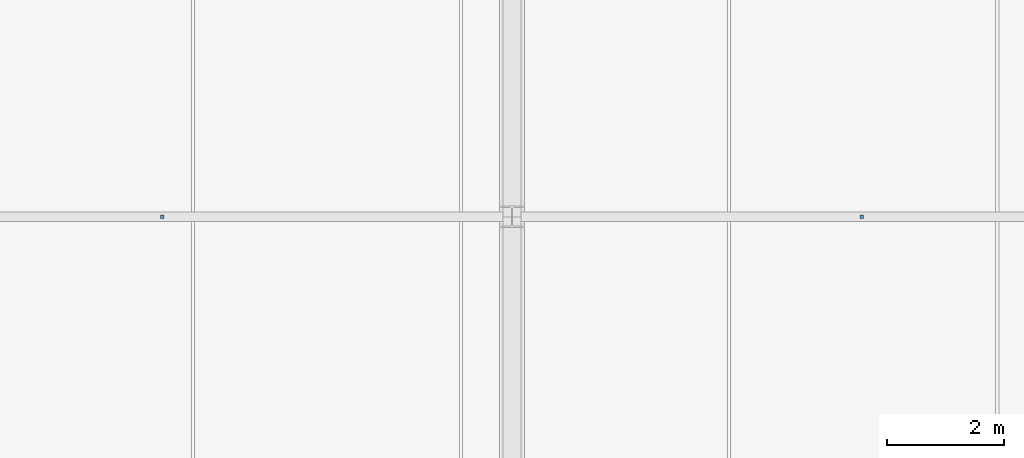
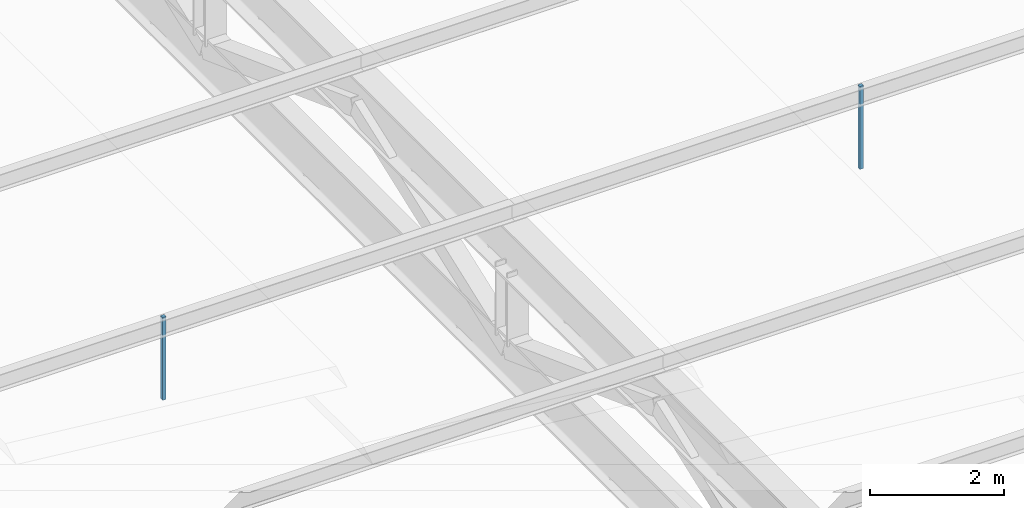
# One storey, part 101 of 108: 2 discrete accessories.
"""IFC4 building model written with IfcOpenShell, lengths in metres."""

from ifc_helpers import new_model, si_unit, direction, frame, origin, origin_2d, place, context, subcontext, project, spatial, rectangle, extrude, material, type_object, element, save


model = new_model("IFC4")

# Units and contexts
model_context = context("Model", 3, precision=1e-05, world=origin(), true_north=direction((0.0, 1.0)))
body_context = subcontext(model_context, "Body", "Model", "MODEL_VIEW")
ifc_project = project(units=[si_unit("LENGTHUNIT", "METRE"), si_unit("AREAUNIT", "SQUARE_METRE"), si_unit("VOLUMEUNIT", "CUBIC_METRE"), si_unit("PLANEANGLEUNIT", "RADIAN"), si_unit("MASSUNIT", "GRAM", prefix="KILO")], contexts=[model_context])

# Site, building, storey
site_placement = place(None, origin())
site = spatial("IfcSite", under=ifc_project, at=site_placement, CompositionType="ELEMENT")
building_placement = place(site_placement, origin())
building = spatial("IfcBuilding", under=site, at=building_placement, Name="Kaldorvane Square Convention Centre", CompositionType="ELEMENT")
storey_placement = place(building_placement, frame((0.0, 0.0, 23.399993896484375)))
storey = spatial("IfcBuildingStorey", under=building, at=storey_placement, Name="L04", CompositionType="ELEMENT", Elevation=23.399993896484375)

# Discrete accessories
ifc_material = material(Name="Architectural Painted Steel", Category="steel")
discrete_accessory_type = type_object("IfcDiscreteAccessoryType", Name="AC-HGR-060", PredefinedType="BRACKET", material=ifc_material)
for number, where, z_axis, x_axis, name in (
    (1, (36.0, 45.0, 2.029998779296875), (0.0, 0.0, 1.0), (1.0, 0.0, 0.0), "Ceiling Suspension Bracket 06 (L04)"),
    (2, (48.0, 45.0, 2.029998779296875), (0.0, 0.0, 1.0), (1.0, 0.0, 0.0), "Ceiling Suspension Bracket 07 (L04)"),
):
    element("IfcDiscreteAccessory", number, at=place(storey_placement, frame(where, z_axis=z_axis, x_axis=x_axis)), inside=storey, type_object=discrete_accessory_type, Name=name, PredefinedType="BRACKET", context=body_context, shape_type="SweptSolid", body=[
        extrude(rectangle(XDim=0.05999755859375, YDim=0.05999755859375, at=origin_2d()), origin(), (0.0, 0.0, 1.0), 1.5099945068359375),
    ])

save(model, "model.ifc")
